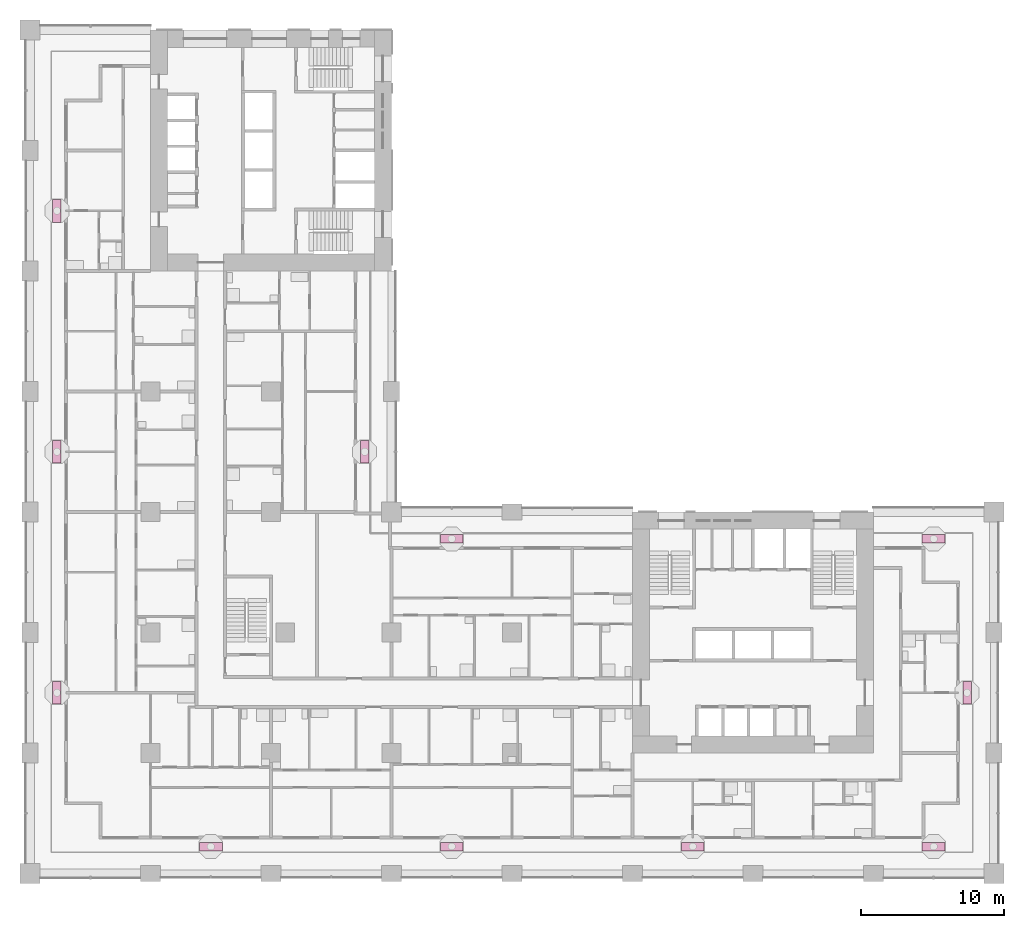
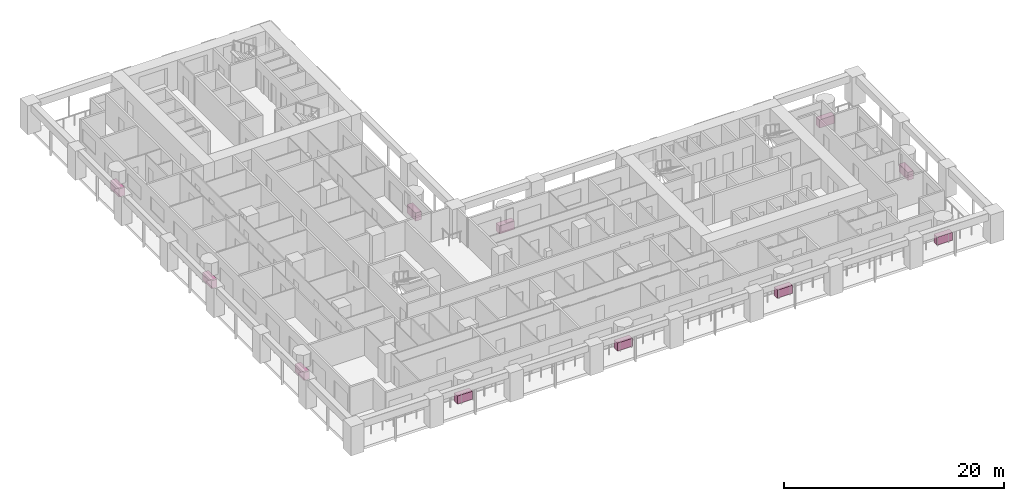
# One storey, part 21 of 22: 11 furniture elements.
"""IFC4 building model written with IfcOpenShell, lengths in metres."""

from ifc_helpers import new_model, si_unit, direction, frame, origin, origin_2d, place, context, subcontext, project, spatial, rectangle, extrude, material, element, save


model = new_model("IFC4")

# Units and contexts
model_context = context("Model", 3, precision=1e-05, world=origin(), true_north=direction((0.0, 1.0)))
body_context = subcontext(model_context, "Body", "Model", "MODEL_VIEW")
ifc_project = project(units=[si_unit("LENGTHUNIT", "METRE"), si_unit("AREAUNIT", "SQUARE_METRE"), si_unit("VOLUMEUNIT", "CUBIC_METRE"), si_unit("PLANEANGLEUNIT", "RADIAN"), si_unit("MASSUNIT", "GRAM", prefix="KILO")], contexts=[model_context])

# Site, building, storey
site_placement = place(None, origin())
site = spatial("IfcSite", under=ifc_project, at=site_placement, CompositionType="ELEMENT")
building_placement = place(site_placement, origin())
building = spatial("IfcBuilding", under=site, at=building_placement, Name="Vermilion Gate Residences", CompositionType="ELEMENT")
storey_placement = place(building_placement, frame((0.0, 0.0, 60.199951171875)))
storey = spatial("IfcBuildingStorey", under=building, at=storey_placement, Name="L14", CompositionType="ELEMENT", Elevation=60.199951171875)

# Furniture
ifc_material = material(Name="Terracotta planter", Category="masonry")
for number, where, z_axis, x_axis, name in (
    (1, (12.60009765625, 1.875, 0.0), (0.0, 0.0, 1.0), (1.0, 0.0, 0.0), "PLANTER"),
    (2, (29.39990234375, 1.875, 0.0), (0.0, 0.0, 1.0), (1.0, 0.0, 0.0), "PLANTER"),
    (3, (46.199951171875, 1.875, 0.0), (0.0, 0.0, 1.0), (1.0, 0.0, 0.0), "PLANTER"),
    (4, (63.0, 1.875, 0.0), (0.0, 0.0, 1.0), (1.0, 0.0, 0.0), "PLANTER"),
    (5, (65.324951171875, 12.60009765625, 0.0), (0.0, 0.0, 1.0), (0.0, 1.0, 0.0), "PLANTER"),
    (6, (29.39990234375, 23.324951171875, 0.0), (0.0, 0.0, 1.0), (-1.0, 0.0, 0.0), "PLANTER"),
    (7, (63.0, 23.324951171875, 0.0), (0.0, 0.0, 1.0), (-1.0, 0.0, 0.0), "PLANTER"),
    (8, (23.324951171875, 29.39990234375, 0.0), (0.0, 0.0, 1.0), (0.0, 1.0, 0.0), "PLANTER"),
    (9, (1.875, 12.60009765625, 0.0), (0.0, 0.0, 1.0), (0.0, -1.0, 0.0), "PLANTER"),
    (10, (1.875, 29.39990234375, 0.0), (0.0, 0.0, 1.0), (0.0, -1.0, 0.0), "PLANTER"),
    (11, (1.875, 46.199951171875, 0.0), (0.0, 0.0, 1.0), (0.0, -1.0, 0.0), "PLANTER"),
):
    element("IfcFurniture", number, at=place(storey_placement, frame(where, z_axis=z_axis, x_axis=x_axis)), inside=storey, material=ifc_material, Name=name, ObjectType="PLANTER", PredefinedType="USERDEFINED", context=body_context, shape_type="SweptSolid", body=[
        extrude(rectangle(XDim=1.60009765625, YDim=0.60009765625, at=origin_2d()), origin(), (0.0, 0.0, 1.0), 0.89990234375),
    ])

save(model, "model.ifc")
